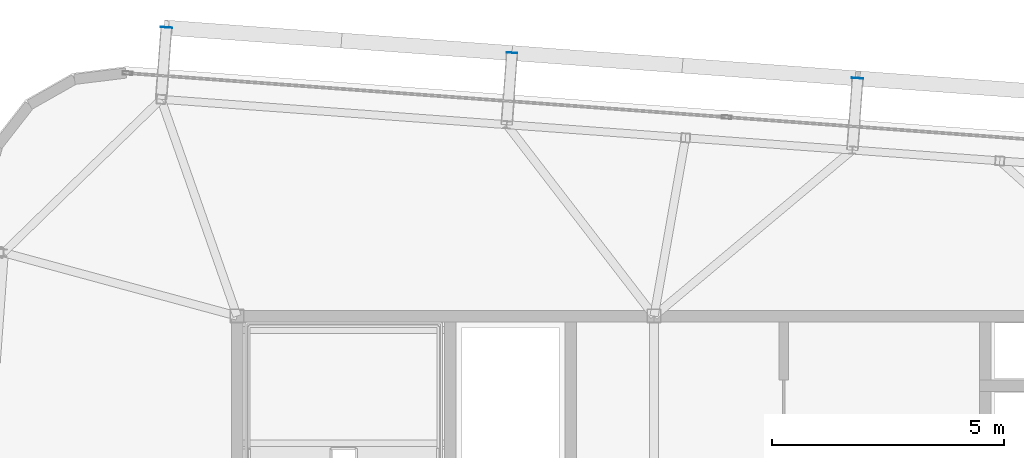
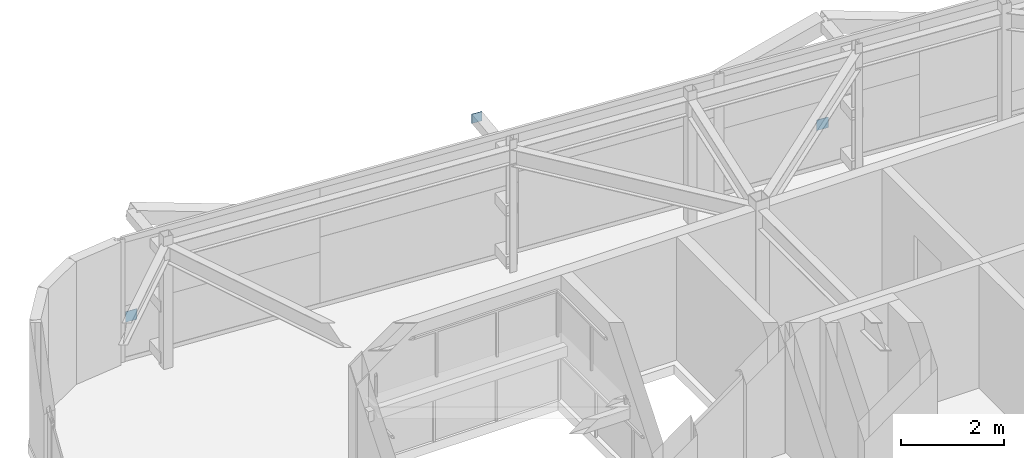
# One storey, part 29 of 34: 3 plates.
"""IFC4 building model written with IfcOpenShell, lengths in metres."""

from ifc_helpers import new_model, si_unit, direction, frame, origin, origin_2d, place, context, subcontext, project, spatial, rectangle, extrude, source, transform, mapped, material, layer, layer_set, type_object, element, save


model = new_model("IFC4")

# Units and contexts
model_context = context("Model", 3, precision=1e-05, world=origin(), true_north=direction((0.0, 1.0)))
body_context = subcontext(model_context, "Body", "Model", "MODEL_VIEW")
ifc_project = project(units=[si_unit("LENGTHUNIT", "METRE"), si_unit("AREAUNIT", "SQUARE_METRE"), si_unit("VOLUMEUNIT", "CUBIC_METRE"), si_unit("PLANEANGLEUNIT", "RADIAN"), si_unit("MASSUNIT", "GRAM", prefix="KILO")], contexts=[model_context])

# Site, building, storey
site_placement = place(None, origin())
site = spatial("IfcSite", under=ifc_project, at=site_placement, CompositionType="ELEMENT")
building_placement = place(site_placement, origin())
building = spatial("IfcBuilding", under=site, at=building_placement, Name="Taldren Reach Tower", CompositionType="ELEMENT")
storey_placement = place(building_placement, frame((0.0, 0.0, 246.050048828125)))
storey = spatial("IfcBuildingStorey", under=building, at=storey_placement, Name="L75", CompositionType="ELEMENT", Elevation=246.050048828125)

# Plates
ifc_material_1 = material(Name="Steel Gr 350 (C350L0)", Category="steel")
ifc_layer_1 = layer(ifc_material_1, 0.011962890625)
ifc_layer_set_1 = layer_set([ifc_layer_1], Name="Steel Gr 350 (C350L0)")
plate_type_1 = type_object("IfcPlateType", Name="PL-CAP-250", PredefinedType="SHEET", material=ifc_layer_set_1)
shared_shape_1 = source(origin(), body_context, "Body", "SweptSolid", [
    extrude(rectangle(XDim=0.25, YDim=0.011962890625, at=origin_2d()), origin(), (0.0, 0.0, 1.0), 0.25),
])
for number, where, z_axis, x_axis, name in (
    (1, (17.4736328125, 38.230712890625, 0.094970703125), (0.0, 0.0, 1.0), (0.997314477224, -0.073238197128, 0.0), "Tie strut end cap plate B5-N1 L75"),
    (2, (32.3935546875, 37.135009765625, 0.094970703125), (0.0, 0.0, 1.0), (0.997314477224, -0.073238197128, 0.0), "Tie strut end cap plate B5-N3 L75"),
):
    element("IfcPlate", number, at=place(storey_placement, frame(where, z_axis=z_axis, x_axis=x_axis)), inside=storey, type_object=plate_type_1, Name=name, PredefinedType="SHEET", context=body_context, shape_type="MappedRepresentation", body=[
        mapped(shared_shape_1, transform((0.0, 0.0, 0.0), scale=1.0)),
    ])
ifc_material_2 = material(Name="Steel Gr 450 (C450L0)", Category="steel")
ifc_layer_2 = layer(ifc_material_2, 0.011962890625)
ifc_layer_set_2 = layer_set([ifc_layer_2], Name="Steel Gr 450 (C450L0)")
plate_type_2 = type_object("IfcPlateType", Name="PL-CAP-220", PredefinedType="SHEET", material=ifc_layer_set_2)
shared_shape_2 = source(origin(), body_context, "Body", "SweptSolid", [
    extrude(rectangle(XDim=0.219970703125, YDim=0.011962890625, at=origin_2d()), origin(), (0.0, 0.0, 1.0), 0.219970703125),
])
plate_placement = place(storey_placement, frame((24.93359375, 37.682861328125, 2.5400390625), z_axis=(0.0, 0.0, 1.0), x_axis=(0.997314477224, -0.073238197128, 0.0)))
element("IfcPlate", 3, at=plate_placement, inside=storey, type_object=plate_type_2, Name="Tie strut end cap plate B5-N2 L75", PredefinedType="SHEET", context=body_context, shape_type="MappedRepresentation", body=[
    mapped(shared_shape_2, transform((0.0, 0.0, 0.0), scale=1.0)),
])

save(model, "model.ifc")
